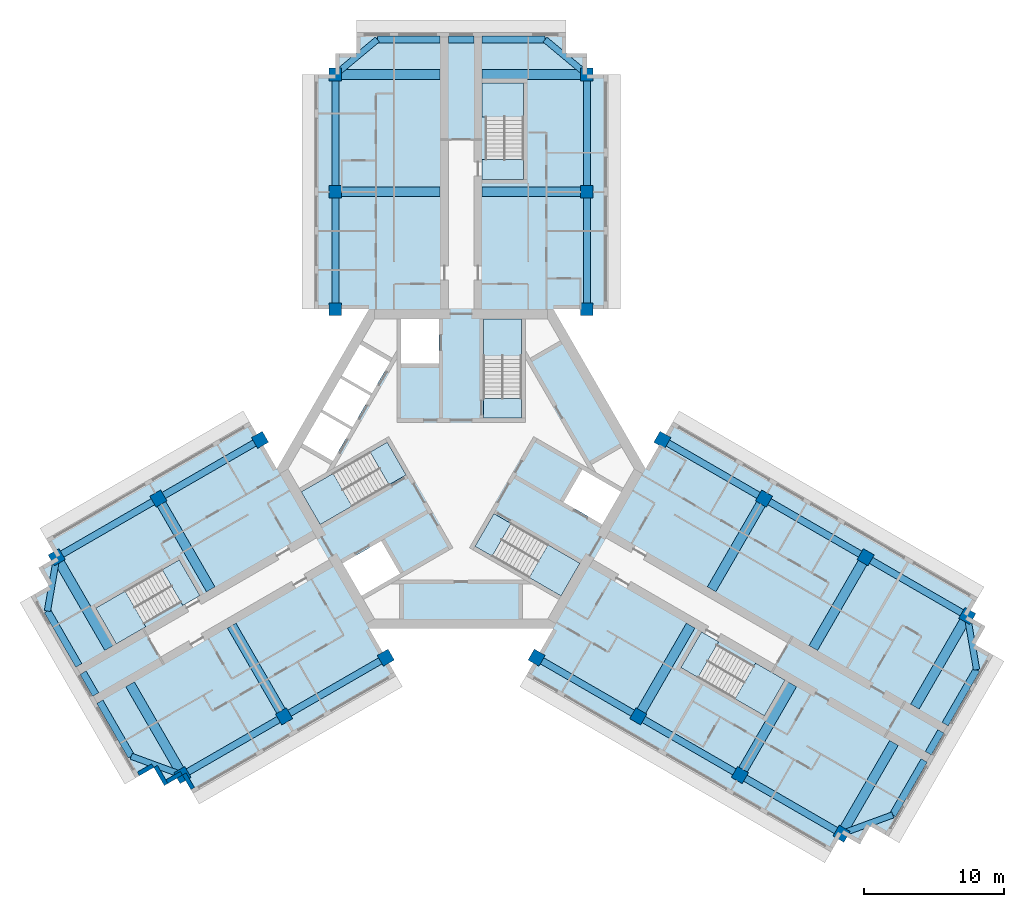
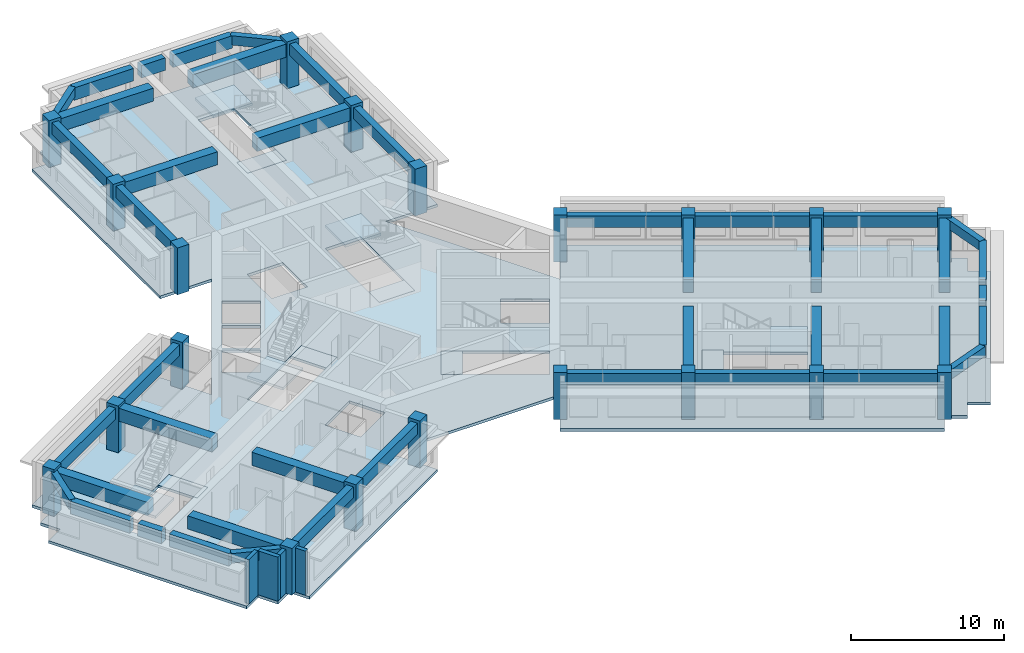
# One storey, part 1 of 10: 43 beams, 20 columns, 13 slabs, 4 walls, 6 elements without a shape of their own.
"""IFC4 building model written with IfcOpenShell, lengths in metres."""

from ifc_helpers import new_model, si_unit, direction, frame, frame_2d, origin, origin_2d, place, context, subcontext, project, spatial, polyline, rectangle, outline, extrude, material, layer, layer_set, material_profile, profile_set, type_object, element, aggregate, save


model = new_model("IFC4")

# Units and contexts
model_context = context("Model", 3, precision=1e-05, world=origin(), true_north=direction((0.0, 1.0)))
body_context = subcontext(model_context, "Body", "Model", "MODEL_VIEW")
ifc_project = project(units=[si_unit("LENGTHUNIT", "METRE"), si_unit("AREAUNIT", "SQUARE_METRE"), si_unit("VOLUMEUNIT", "CUBIC_METRE"), si_unit("PLANEANGLEUNIT", "RADIAN"), si_unit("MASSUNIT", "GRAM", prefix="KILO")], contexts=[model_context])

# Site, building, storey
site_placement = place(None, origin())
site = spatial("IfcSite", under=ifc_project, at=site_placement, CompositionType="ELEMENT")
building_placement = place(site_placement, origin())
building = spatial("IfcBuilding", under=site, at=building_placement, Name="Impinga Residences", CompositionType="ELEMENT")
storey_placement = place(building_placement, frame((0.0, 0.0, 237.25)))
storey = spatial("IfcBuildingStorey", under=building, at=storey_placement, Name="L59", CompositionType="ELEMENT", Elevation=237.25)

# Columns
ifc_material_1 = material(Name="Concrete C60/75", Category="concrete")
ifc_material_profile_1 = material_profile(ifc_material_1, rectangle(XDim=0.89990234375, YDim=0.89990234375, at=origin_2d()), Name="RC 900x900")
ifc_profile_set_1 = profile_set([ifc_material_profile_1], Name="Concrete C60/75")
column_type = type_object("IfcColumnType", Name="C4 900x900 column", PredefinedType="COLUMN", material=ifc_profile_set_1)
for number, where, z_axis, x_axis, name in (
    (1, (-9.0, 11.431640625, 0.0), (0.0, 0.0, 1.0), (1.0, 0.0, 0.0), "Column C4 N1/NA L59"),
    (2, (9.0, 11.431640625, 0.0), (0.0, 0.0, 1.0), (1.0, 0.0, 0.0), "Column C4 N1/NF L59"),
    (3, (-9.0, 19.83154296875, 0.0), (0.0, 0.0, 1.0), (1.0, 0.0, 0.0), "Column C4 N2/NA L59"),
    (4, (9.0, 19.83154296875, 0.0), (0.0, 0.0, 1.0), (1.0, 0.0, 0.0), "Column C4 N2/NF L59"),
    (5, (-9.0, 28.2314453125, 0.0), (0.0, 0.0, 1.0), (1.0, 0.0, 0.0), "Column C4 N3/NA L59"),
    (6, (9.0, 28.2314453125, 0.0), (0.0, 0.0, 1.0), (1.0, 0.0, 0.0), "Column C4 N3/NF L59"),
    (7, (-5.39990234375, -13.510009765625, 0.0), (0.0, 0.0, 1.0), (-0.5, 0.866025403784, 0.0), "Column C4 W1/WA L59"),
    (8, (-14.39990234375, 2.078369140625, 0.0), (0.0, 0.0, 1.0), (-0.5, 0.866025403784, 0.0), "Column C4 W1/WF L59"),
    (9, (-12.674560546875, -17.7099609375, 0.0), (0.0, 0.0, 1.0), (-0.5, 0.866025403784, 0.0), "Column C4 W2/WA L59"),
    (10, (-21.674560546875, -2.12158203125, 0.0), (0.0, 0.0, 1.0), (-0.5, 0.866025403784, 0.0), "Column C4 W2/WF L59"),
    (11, (-19.94921875, -21.909912109375, 0.0), (0.0, 0.0, 1.0), (-0.5, 0.866025403784, 0.0), "Column C4 W3/WA L59"),
    (12, (-28.94921875, -6.321533203125, 0.0), (0.0, 0.0, 1.0), (-0.5, 0.866025403784, 0.0), "Column C4 W3/WF L59"),
    (13, (14.39990234375, 2.078369140625, 0.0), (0.0, 0.0, 1.0), (-0.5, -0.866025403784, 0.0), "Column C4 E1/EA L59"),
    (14, (5.39990234375, -13.510009765625, 0.0), (0.0, 0.0, 1.0), (-0.5, -0.866025403784, 0.0), "Column C4 E1/EF L59"),
    (15, (21.674560546875, -2.12158203125, 0.0), (0.0, 0.0, 1.0), (-0.5, -0.866025403784, 0.0), "Column C4 E2/EA L59"),
    (16, (12.674560546875, -17.7099609375, 0.0), (0.0, 0.0, 1.0), (-0.5, -0.866025403784, 0.0), "Column C4 E2/EF L59"),
    (17, (28.94921875, -6.321533203125, 0.0), (0.0, 0.0, 1.0), (-0.5, -0.866025403784, 0.0), "Column C4 E3/EA L59"),
    (18, (19.94921875, -21.909912109375, 0.0), (0.0, 0.0, 1.0), (-0.5, -0.866025403784, 0.0), "Column C4 E3/EF L59"),
    (19, (36.223876953125, -10.521484375, 0.0), (0.0, 0.0, 1.0), (-0.5, -0.866025403784, 0.0), "Column C4 E4/EA L59"),
    (20, (27.223876953125, -26.110107421875, 0.0), (0.0, 0.0, 1.0), (-0.5, -0.866025403784, 0.0), "Column C4 E4/EF L59"),
):
    element("IfcColumn", number, at=place(storey_placement, frame(where, z_axis=z_axis, x_axis=x_axis)), inside=storey, type_object=column_type, Name=name, PredefinedType="COLUMN", context=body_context, shape_type="SweptSolid", body=[
        extrude(rectangle(XDim=0.89990234375, YDim=0.89990234375, at=origin_2d()), origin(), (0.0, 0.0, 1.0), 3.75),
    ])

# Beams
ifc_material_profile_2 = material_profile(ifc_material_1, rectangle(XDim=0.449951171875, YDim=0.75, at=origin_2d()), Name="RC 450x750")
ifc_profile_set_2 = profile_set([ifc_material_profile_2], Name="Concrete C60/75")
beam_type_1 = type_object("IfcBeamType", Name="CB1 450x750 wing end cantilever beam", PredefinedType="BEAM", material=ifc_profile_set_2)
for number, where, z_axis, x_axis, name in (
    (21, (-9.0, 28.2314453125, 3.155029296875), (0.768221279597, 0.640184399664, 0.0), (-0.640184399664, 0.768221279597, 0.0), "Beam CB1 NB N3-NX level L60"),
    (22, (9.0, 28.2314453125, 3.155029296875), (-0.768221279597, 0.640184399664, 0.0), (-0.640184399664, -0.768221279597, 0.0), "Beam CB1 NE N3-NX level L60"),
    (23, (-19.94921875, -21.909912109375, 3.155029296875), (-0.93854043338, 0.345169313396, 0.0), (-0.345169313396, -0.93854043338, 0.0), "Beam CB1 WB W3-WX level L60"),
):
    element("IfcBeam", number, at=place(storey_placement, frame(where, z_axis=z_axis, x_axis=x_axis)), inside=storey, type_object=beam_type_1, Name=name, PredefinedType="BEAM", context=body_context, shape_type="SweptSolid", body=[
        extrude(rectangle(XDim=0.449951171875, YDim=0.75, at=origin_2d()), origin(), (0.0, 0.0, 1.0), 3.905029296875),
    ])
for number, where, z_axis, x_axis, name in (
    (24, (-28.94921875, -6.321533203125, 3.155029296875), (-0.170296298948, -0.985392901621, 0.0), (0.985392901621, -0.170296298948, 0.0), "Beam CB1 WE W3-WX level L60"),
    (25, (36.223876953125, -10.521484375, 3.155029296875), (0.170296298948, -0.985392901621, 0.0), (0.985392901621, 0.170296298948, 0.0), "Beam CB1 EB E4-EX level L60"),
):
    element("IfcBeam", number, at=place(storey_placement, frame(where, z_axis=z_axis, x_axis=x_axis)), inside=storey, type_object=beam_type_1, Name=name, PredefinedType="BEAM", context=body_context, shape_type="SweptSolid", body=[
        extrude(rectangle(XDim=0.449951171875, YDim=0.75, at=origin_2d()), origin(), (0.0, 0.0, 1.0), 3.9052734375),
    ])
beam_1_placement = place(storey_placement, frame((27.223876953125, -26.110107421875, 3.155029296875), z_axis=(0.938520178725, 0.345224382289, 0.0), x_axis=(-0.345224382289, 0.938520178725, 0.0)))
element("IfcBeam", 26, at=beam_1_placement, inside=storey, type_object=beam_type_1, Name="Beam CB1 EE E4-EX level L60", PredefinedType="BEAM", context=body_context, shape_type="SweptSolid", body=[
    extrude(rectangle(XDim=0.449951171875, YDim=0.75, at=origin_2d()), origin(), (0.0, 0.0, 1.0), 3.905029296875),
])
ifc_material_profile_3 = material_profile(ifc_material_1, rectangle(XDim=0.699951171875, YDim=1.050048828125, at=origin_2d()), Name="RC 700x1050")
ifc_profile_set_3 = profile_set([ifc_material_profile_3], Name="Concrete C60/75")
beam_type_2 = type_object("IfcBeamType", Name="CG1 700x1050 cross girder on a wing bay line", PredefinedType="BEAM", material=ifc_profile_set_3)
for number, where, z_axis, x_axis, name in (
    (27, (-1.5, 19.83154296875, 3.0048828125), (-1.0, 0.0, 0.0), (0.0, -1.0, 0.0), "Beam CG1 N2 NC/NA level L60"),
    (28, (-1.5, 28.2314453125, 3.0048828125), (-1.0, 0.0, 0.0), (0.0, -1.0, 0.0), "Beam CG1 N3 NC/NA level L60"),
    (29, (1.5, 19.83154296875, 3.0048828125), (1.0, 0.0, 0.0), (0.0, 1.0, 0.0), "Beam CG1 N2 NC/NF level L60"),
    (30, (1.5, 28.2314453125, 3.0048828125), (1.0, 0.0, 0.0), (0.0, 1.0, 0.0), "Beam CG1 N3 NC/NF level L60"),
    (31, (-16.424560546875, -11.21484375, 3.0048828125), (0.500004234368, -0.866022959057, 0.0), (0.866022959057, 0.500004234368, 0.0), "Beam CG1 W2 WC/WA level L60"),
    (32, (-23.69921875, -15.414794921875, 3.0048828125), (0.500004234368, -0.866022959057, 0.0), (0.866022959057, 0.500004234368, 0.0), "Beam CG1 W3 WC/WA level L60"),
    (33, (-17.924560546875, -8.61669921875, 3.0048828125), (-0.500004234368, 0.866022959057, 0.0), (-0.866022959057, -0.500004234368, 0.0), "Beam CG1 W2 WC/WF level L60"),
    (34, (-25.19921875, -12.816650390625, 3.0048828125), (-0.500004234368, 0.866022959057, 0.0), (-0.866022959057, -0.500004234368, 0.0), "Beam CG1 W3 WC/WF level L60"),
    (35, (17.924560546875, -8.61669921875, 3.0048828125), (0.500004234368, 0.866022959057, 0.0), (-0.866022959057, 0.500004234368, 0.0), "Beam CG1 E2 EC/EA level L60"),
    (36, (25.19921875, -12.816650390625, 3.0048828125), (0.500004234368, 0.866022959057, 0.0), (-0.866022959057, 0.500004234368, 0.0), "Beam CG1 E3 EC/EA level L60"),
):
    element("IfcBeam", number, at=place(storey_placement, frame(where, z_axis=z_axis, x_axis=x_axis)), inside=storey, type_object=beam_type_2, Name=name, PredefinedType="BEAM", context=body_context, shape_type="SweptSolid", body=[
        extrude(rectangle(XDim=0.699951171875, YDim=1.050048828125, at=origin_2d()), origin(), (0.0, 0.0, 1.0), 7.5),
    ])
beam_2_placement = place(storey_placement, frame((32.473876953125, -17.016845703125, 3.0048828125), z_axis=(0.499990139034, 0.866031096941, 0.0), x_axis=(-0.866031096941, 0.499990139034, 0.0)))
element("IfcBeam", 37, at=beam_2_placement, inside=storey, type_object=beam_type_2, Name="Beam CG1 E4 EC/EA level L60", PredefinedType="BEAM", context=body_context, shape_type="SweptSolid", body=[
    extrude(rectangle(XDim=0.699951171875, YDim=1.050048828125, at=origin_2d()), origin(), (0.0, 0.0, 1.0), 7.500244140625),
])
for number, where, z_axis, x_axis, name in (
    (38, (16.424560546875, -11.21484375, 3.0048828125), (-0.500004234368, -0.866022959057, 0.0), (0.866022959057, -0.500004234368, 0.0), "Beam CG1 E2 EC/EF level L60"),
    (39, (23.69921875, -15.414794921875, 3.0048828125), (-0.500004234368, -0.866022959057, 0.0), (0.866022959057, -0.500004234368, 0.0), "Beam CG1 E3 EC/EF level L60"),
):
    element("IfcBeam", number, at=place(storey_placement, frame(where, z_axis=z_axis, x_axis=x_axis)), inside=storey, type_object=beam_type_2, Name=name, PredefinedType="BEAM", context=body_context, shape_type="SweptSolid", body=[
        extrude(rectangle(XDim=0.699951171875, YDim=1.050048828125, at=origin_2d()), origin(), (0.0, 0.0, 1.0), 7.5),
    ])
beam_3_placement = place(storey_placement, frame((30.973876953125, -19.61474609375, 3.0048828125), z_axis=(-0.499990139034, -0.866031096941, 0.0), x_axis=(0.866031096941, -0.499990139034, 0.0)))
element("IfcBeam", 40, at=beam_3_placement, inside=storey, type_object=beam_type_2, Name="Beam CG1 E4 EC/EF level L60", PredefinedType="BEAM", context=body_context, shape_type="SweptSolid", body=[
    extrude(rectangle(XDim=0.699951171875, YDim=1.050048828125, at=origin_2d()), origin(), (0.0, 0.0, 1.0), 7.500244140625),
])
ifc_material_profile_4 = material_profile(ifc_material_1, rectangle(XDim=0.5, YDim=1.0, at=origin_2d()), Name="RC 500x1000")
ifc_profile_set_4 = profile_set([ifc_material_profile_4], Name="Concrete C60/75")
beam_type_3 = type_object("IfcBeamType", Name="EB1 500x1000 wing end beam", PredefinedType="BEAM", material=ifc_profile_set_4)
beam_4_placement = place(storey_placement, frame((-6.0, 30.7314453125, 3.030029296875), z_axis=(1.0, 0.0, 0.0), x_axis=(0.0, 1.0, 0.0)))
element("IfcBeam", 41, at=beam_4_placement, inside=storey, type_object=beam_type_3, Name="Beam EB1 NX2 level L60", PredefinedType="BEAM", context=body_context, shape_type="SweptSolid", body=[
    extrude(rectangle(XDim=0.5, YDim=1.0, at=origin_2d()), origin(), (0.0, 0.0, 1.0), 4.5),
])
beam_5_placement = place(storey_placement, frame((-0.89990234375, 30.7314453125, 3.030029296875), z_axis=(1.0, 0.0, 0.0), x_axis=(0.0, 1.0, 0.0)))
element("IfcBeam", 42, at=beam_5_placement, inside=storey, type_object=beam_type_3, Name="Beam EB1 NX2 level L60", PredefinedType="BEAM", context=body_context, shape_type="SweptSolid", body=[
    extrude(rectangle(XDim=0.5, YDim=1.0, at=origin_2d()), origin(), (0.0, 0.0, 1.0), 1.7998046875),
])
for number, where, z_axis, x_axis, name in (
    (43, (1.5, 30.7314453125, 3.030029296875), (1.0, 0.0, 0.0), (0.0, 1.0, 0.0), "Beam EB1 NX2 level L60"),
    (44, (-23.6142578125, -20.56201171875, 3.030029296875), (-0.499990139034, 0.866031096941, 0.0), (-0.866031096941, -0.499990139034, 0.0), "Beam EB1 WX2 level L60"),
):
    element("IfcBeam", number, at=place(storey_placement, frame(where, z_axis=z_axis, x_axis=x_axis)), inside=storey, type_object=beam_type_3, Name=name, PredefinedType="BEAM", context=body_context, shape_type="SweptSolid", body=[
        extrude(rectangle(XDim=0.5, YDim=1.0, at=origin_2d()), origin(), (0.0, 0.0, 1.0), 4.5),
    ])
beam_6_placement = place(storey_placement, frame((-26.164306640625, -16.145263671875, 3.030029296875), z_axis=(-0.499961193289, 0.866047807691, 0.0), x_axis=(-0.866047807691, -0.499961193289, 0.0)))
element("IfcBeam", 45, at=beam_6_placement, inside=storey, type_object=beam_type_3, Name="Beam EB1 WX2 level L60", PredefinedType="BEAM", context=body_context, shape_type="SweptSolid", body=[
    extrude(rectangle(XDim=0.5, YDim=1.0, at=origin_2d()), origin(), (0.0, 0.0, 1.0), 1.800048828125),
])
beam_7_placement = place(storey_placement, frame((-27.3642578125, -14.066650390625, 3.030029296875), z_axis=(-0.500013631625, 0.866017533419, 0.0), x_axis=(-0.866017533419, -0.500013631625, 0.0)))
element("IfcBeam", 46, at=beam_7_placement, inside=storey, type_object=beam_type_3, Name="Beam EB1 WX2 level L60", PredefinedType="BEAM", context=body_context, shape_type="SweptSolid", body=[
    extrude(rectangle(XDim=0.5, YDim=1.0, at=origin_2d()), origin(), (0.0, 0.0, 1.0), 4.499755859375),
])
beam_8_placement = place(storey_placement, frame((36.888916015625, -14.36962890625, 3.030029296875), z_axis=(-0.499990139034, -0.866031096941, 0.0), x_axis=(0.866031096941, -0.499990139034, 0.0)))
element("IfcBeam", 47, at=beam_8_placement, inside=storey, type_object=beam_type_3, Name="Beam EB1 EX3 level L60", PredefinedType="BEAM", context=body_context, shape_type="SweptSolid", body=[
    extrude(rectangle(XDim=0.5, YDim=1.0, at=origin_2d()), origin(), (0.0, 0.0, 1.0), 4.5),
])
beam_9_placement = place(storey_placement, frame((34.3388671875, -18.786376953125, 3.030029296875), z_axis=(-0.499961193289, -0.866047807691, 0.0), x_axis=(0.866047807691, -0.499961193289, 0.0)))
element("IfcBeam", 48, at=beam_9_placement, inside=storey, type_object=beam_type_3, Name="Beam EB1 EX3 level L60", PredefinedType="BEAM", context=body_context, shape_type="SweptSolid", body=[
    extrude(rectangle(XDim=0.5, YDim=1.0, at=origin_2d()), origin(), (0.0, 0.0, 1.0), 1.800048828125),
])
beam_10_placement = place(storey_placement, frame((33.138916015625, -20.86474609375, 3.030029296875), z_axis=(-0.499990139034, -0.866031096941, 0.0), x_axis=(0.866031096941, -0.499990139034, 0.0)))
element("IfcBeam", 49, at=beam_10_placement, inside=storey, type_object=beam_type_3, Name="Beam EB1 EX3 level L60", PredefinedType="BEAM", context=body_context, shape_type="SweptSolid", body=[
    extrude(rectangle(XDim=0.5, YDim=1.0, at=origin_2d()), origin(), (0.0, 0.0, 1.0), 4.5),
])
ifc_material_profile_5 = material_profile(ifc_material_1, rectangle(XDim=0.5, YDim=0.89990234375, at=origin_2d()), Name="RC 500x900")
ifc_profile_set_5 = profile_set([ifc_material_profile_5], Name="Concrete C60/75")
beam_type_4 = type_object("IfcBeamType", Name="SB1 500x900 perimeter spandrel beam", PredefinedType="SPANDREL", material=ifc_profile_set_5)
for number, where, z_axis, x_axis, name in (
    (50, (-9.0, 11.431640625, 3.080078125), (0.0, 1.0, 0.0), (-1.0, 0.0, 0.0), "Beam SB1 NA N1-N2 level L60"),
    (51, (-9.0, 19.83154296875, 3.080078125), (0.0, 1.0, 0.0), (-1.0, 0.0, 0.0), "Beam SB1 NA N2-N3 level L60"),
    (52, (9.0, 11.431640625, 3.080078125), (0.0, 1.0, 0.0), (-1.0, 0.0, 0.0), "Beam SB1 NF N1-N2 level L60"),
    (53, (9.0, 19.83154296875, 3.080078125), (0.0, 1.0, 0.0), (-1.0, 0.0, 0.0), "Beam SB1 NF N2-N3 level L60"),
    (54, (-5.39990234375, -13.510009765625, 3.080078125), (-0.86602925447, -0.499993330357, 0.0), (0.499993330357, -0.86602925447, 0.0), "Beam SB1 WA W1-W2 level L60"),
    (55, (-12.674560546875, -17.7099609375, 3.080078125), (-0.86602925447, -0.499993330357, 0.0), (0.499993330357, -0.86602925447, 0.0), "Beam SB1 WA W2-W3 level L60"),
    (56, (-14.39990234375, 2.078369140625, 3.080078125), (-0.86602925447, -0.499993330357, 0.0), (0.499993330357, -0.86602925447, 0.0), "Beam SB1 WF W1-W2 level L60"),
    (57, (-21.674560546875, -2.12158203125, 3.080078125), (-0.86602925447, -0.499993330357, 0.0), (0.499993330357, -0.86602925447, 0.0), "Beam SB1 WF W2-W3 level L60"),
    (58, (14.39990234375, 2.078369140625, 3.080078125), (0.86602925447, -0.499993330357, 0.0), (0.499993330357, 0.86602925447, 0.0), "Beam SB1 EA E1-E2 level L60"),
    (59, (21.674560546875, -2.12158203125, 3.080078125), (0.86602925447, -0.499993330357, 0.0), (0.499993330357, 0.86602925447, 0.0), "Beam SB1 EA E2-E3 level L60"),
    (60, (28.94921875, -6.321533203125, 3.080078125), (0.86602925447, -0.499993330357, 0.0), (0.499993330357, 0.86602925447, 0.0), "Beam SB1 EA E3-E4 level L60"),
    (61, (5.39990234375, -13.510009765625, 3.080078125), (0.86602925447, -0.499993330357, 0.0), (0.499993330357, 0.86602925447, 0.0), "Beam SB1 EF E1-E2 level L60"),
    (62, (12.674560546875, -17.7099609375, 3.080078125), (0.86602925447, -0.499993330357, 0.0), (0.499993330357, 0.86602925447, 0.0), "Beam SB1 EF E2-E3 level L60"),
):
    element("IfcBeam", number, at=place(storey_placement, frame(where, z_axis=z_axis, x_axis=x_axis)), inside=storey, type_object=beam_type_4, Name=name, PredefinedType="SPANDREL", context=body_context, shape_type="SweptSolid", body=[
        extrude(rectangle(XDim=0.5, YDim=0.89990234375, at=origin_2d()), origin(), (0.0, 0.0, 1.0), 8.39990234375),
    ])
beam_11_placement = place(storey_placement, frame((19.94921875, -21.909912109375, 3.080078125), z_axis=(0.866016669275, -0.500015128309, 0.0), x_axis=(0.500015128309, 0.866016669275, 0.0)))
element("IfcBeam", 63, at=beam_11_placement, inside=storey, type_object=beam_type_4, Name="Beam SB1 EF E3-E4 level L60", PredefinedType="SPANDREL", context=body_context, shape_type="SweptSolid", body=[
    extrude(rectangle(XDim=0.5, YDim=0.89990234375, at=origin_2d()), origin(), (0.0, 0.0, 1.0), 8.400146484375),
])

# Slab
ifc_layer_1 = layer(ifc_material_1, 0.219970703125)
ifc_layer_set_1 = layer_set([ifc_layer_1], Name="Concrete C60/75")
slab_type_1 = type_object("IfcSlabType", Name="FS1 tower floor slab 220", PredefinedType="FLOOR", material=ifc_layer_set_1)
slab_1_placement = place(storey_placement, frame((0.0, 0.0, -0.219970703125)))
element("IfcSlab", 64, at=slab_1_placement, inside=storey, type_object=slab_type_1, Name="Floor slab FS1 L59", PredefinedType="FLOOR", context=body_context, shape_type="SweptSolid", body=[
    extrude(outline(polyline([(36.223876953125, -10.521484375), (37.52294921875, -11.271484375), (36.77294921875, -12.570556640625), (38.072021484375, -13.320556640625), (30.572021484375, -26.31103515625), (29.27294921875, -25.56103515625), (28.52294921875, -26.860107421875), (27.223876953125, -26.110107421875), (26.473876953125, -27.408935546875), (4.64990234375, -14.80908203125), (9.900146484375, -5.7158203125), (6.60009765625, -11.431640625), (-6.60009765625, -11.431640625), (-9.900146484375, -5.7158203125), (-4.64990234375, -14.80908203125), (-19.19921875, -23.208984375), (-19.94921875, -21.909912109375), (-21.248291015625, -22.659912109375), (-21.998291015625, -21.36083984375), (-23.29736328125, -22.11083984375), (-30.79736328125, -9.12060546875), (-29.498291015625, -8.37060546875), (-30.248291015625, -7.071533203125), (-28.94921875, -6.321533203125), (-29.69921875, -5.0224609375), (-15.14990234375, 3.37744140625), (-13.199951171875, 0.0), (-6.60009765625, 11.431640625), (-10.5, 11.431640625), (-10.5, 28.2314453125), (-9.0, 28.2314453125), (-9.0, 29.7314453125), (-7.5, 29.7314453125), (-7.5, 31.2314453125), (7.5, 31.2314453125), (7.5, 29.7314453125), (9.0, 29.7314453125), (9.0, 28.2314453125), (10.5, 28.2314453125), (10.5, 11.431640625), (6.60009765625, 11.431640625), (13.199951171875, 0.0), (15.14990234375, 3.37744140625), (36.973876953125, -9.222412109375), (36.223876953125, -10.521484375)]), holes=[polyline([(-18.7041015625, -9.066650390625), (-18.8291015625, -8.850341796875), (-18.8291015625, -8.850341796875), (-20.178955078125, -6.511962890625), (-21.391357421875, -7.2119140625), (-21.391357421875, -7.2119140625), (-26.154541015625, -9.9619140625), (-24.8046875, -12.30029296875), (-20.04150390625, -9.55029296875), (-19.91650390625, -9.766845703125), (-18.7041015625, -9.066650390625)]), polyline([(-5.72119140625, -5.150634765625), (-8.493896484375, -6.75146484375), (-7.143798828125, -9.089599609375), (-4.37109375, -7.489013671875), (-5.72119140625, -5.150634765625)]), polyline([(-5.293701171875, 1.908935546875), (-11.44384765625, -1.641845703125), (-10.09375, -3.980224609375), (-3.943603515625, -0.429443359375), (-5.293701171875, 1.908935546875)]), polyline([(-7.878662109375, 2.816650390625), (-10.043701171875, 4.066650390625), (-11.34375, 1.81494140625), (-9.1787109375, 0.56494140625), (-7.878662109375, 2.816650390625)]), polyline([(-6.478759765625, 5.24169921875), (-8.643798828125, 6.49169921875), (-9.94384765625, 4.239990234375), (-7.77880859375, 2.989990234375), (-6.478759765625, 5.24169921875)]), polyline([(-6.378662109375, 5.414794921875), (-5.07861328125, 7.66650390625), (-7.243896484375, 8.91650390625), (-8.543701171875, 6.664794921875), (-6.378662109375, 5.414794921875)]), polyline([(-4.300048828125, 7.530029296875), (-1.60009765625, 7.530029296875), (-1.60009765625, 10.7314453125), (-4.300048828125, 10.7314453125), (-4.300048828125, 7.530029296875)]), polyline([(15.72900390625, -14.219482421875), (21.70458984375, -17.669677734375), (23.0546875, -15.331298828125), (18.29150390625, -12.581298828125), (18.41650390625, -12.36474609375), (17.2041015625, -11.664794921875), (15.72900390625, -14.219482421875)]), polyline([(0.99365234375, -5.538818359375), (7.143798828125, -9.089599609375), (8.493896484375, -6.75146484375), (2.34375, -3.20068359375), (0.99365234375, -5.538818359375)]), polyline([(7.3212890625, -2.37939453125), (10.09375, -3.980224609375), (11.44384765625, -1.641845703125), (8.671142578125, -0.041015625), (7.3212890625, -2.37939453125)]), polyline([(4.300048828125, 3.6298828125), (4.300048828125, 10.7314453125), (1.60009765625, 10.7314453125), (1.60009765625, 3.6298828125), (4.300048828125, 3.6298828125)]), polyline([(1.75, 22.131591796875), (1.5, 22.131591796875), (1.5, 20.7314453125), (1.75, 20.7314453125), (4.449951171875, 20.7314453125), (4.449951171875, 22.131591796875), (4.449951171875, 27.631591796875), (1.75, 27.631591796875), (1.75, 22.131591796875)])]), origin(), (0.0, 0.0, 1.0), 0.219970703125),
])

# Stair, slabs
ifc_material_2 = material(Name="Concrete C40/50", Category="concrete")
stair_type_1 = type_object("IfcStairType", Name="STR core stair 3750 storey, 24 risers", PredefinedType="HALF_TURN_STAIR", material=ifc_material_2)
stair_1_placement = place(storey_placement, origin())
stair_1 = element("IfcStair", 65, at=stair_1_placement, inside=storey, type_object=stair_type_1, Name="Stair ST1 L59", PredefinedType="HALF_TURN_STAIR")
ifc_layer_2 = layer(ifc_material_2, 0.199951171875)
ifc_layer_set_2 = layer_set([ifc_layer_2], Name="Concrete C40/50")
slab_type_2 = type_object("IfcSlabType", Name="LS1 stair landing 200", PredefinedType="LANDING", material=ifc_layer_set_2)
slab_2_placement = place(storey_placement, frame((0.0, 0.0, -0.199951171875)))
slab_2 = element("IfcSlab", 66, at=slab_2_placement, type_object=slab_type_2, Name="ST1 landing 1", PredefinedType="LANDING", context=body_context, shape_type="SweptSolid", body=[
    extrude(outline(polyline([(1.60009765625, 3.6298828125), (4.300048828125, 3.6298828125), (4.300048828125, 5.0400390625), (1.60009765625, 5.0400390625), (1.60009765625, 3.6298828125)])), origin(), (0.0, 0.0, 1.0), 0.199951171875),
])
slab_3_placement = place(storey_placement, frame((0.0, 0.0, 1.675048828125)))
slab_3 = element("IfcSlab", 67, at=slab_3_placement, type_object=slab_type_2, Name="ST1 landing 2", PredefinedType="LANDING", context=body_context, shape_type="SweptSolid", body=[
    extrude(outline(polyline([(1.60009765625, 8.10009765625), (4.300048828125, 8.10009765625), (4.300048828125, 10.7314453125), (1.60009765625, 10.7314453125), (1.60009765625, 8.10009765625)])), origin(), (0.0, 0.0, 1.0), 0.199951171875),
])
aggregate(stair_1, [slab_2, slab_3])

stair_2_placement = place(storey_placement, origin())
stair_2 = element("IfcStair", 68, at=stair_2_placement, inside=storey, type_object=stair_type_1, Name="Stair ST2 L59", PredefinedType="HALF_TURN_STAIR")
slab_4_placement = place(storey_placement, frame((0.0, 0.0, -0.199951171875)))
slab_4 = element("IfcSlab", 69, at=slab_4_placement, type_object=slab_type_2, Name="ST2 landing 1", PredefinedType="LANDING", context=body_context, shape_type="SweptSolid", body=[
    extrude(outline(polyline([(-3.943603515625, -0.429443359375), (-5.293701171875, 1.908935546875), (-6.5146484375, 1.203857421875), (-5.164794921875, -1.13427734375), (-3.943603515625, -0.429443359375)])), origin(), (0.0, 0.0, 1.0), 0.199951171875),
])
slab_5_placement = place(storey_placement, frame((0.0, 0.0, 1.675048828125)))
slab_5 = element("IfcSlab", 70, at=slab_5_placement, type_object=slab_type_2, Name="ST2 landing 2", PredefinedType="LANDING", context=body_context, shape_type="SweptSolid", body=[
    extrude(outline(polyline([(-7.814697265625, -2.664306640625), (-9.164794921875, -0.326171875), (-11.44384765625, -1.641845703125), (-10.09375, -3.980224609375), (-7.814697265625, -2.664306640625)])), origin(), (0.0, 0.0, 1.0), 0.199951171875),
])
aggregate(stair_2, [slab_4, slab_5])

stair_3_placement = place(storey_placement, origin())
stair_3 = element("IfcStair", 71, at=stair_3_placement, inside=storey, type_object=stair_type_1, Name="Stair ST3 L59", PredefinedType="HALF_TURN_STAIR")
slab_6_placement = place(storey_placement, frame((0.0, 0.0, -0.199951171875)))
slab_6 = element("IfcSlab", 72, at=slab_6_placement, type_object=slab_type_2, Name="ST3 landing 1", PredefinedType="LANDING", context=body_context, shape_type="SweptSolid", body=[
    extrude(outline(polyline([(2.34375, -3.20068359375), (0.99365234375, -5.538818359375), (2.21484375, -6.243896484375), (3.564697265625, -3.90576171875), (2.34375, -3.20068359375)])), origin(), (0.0, 0.0, 1.0), 0.199951171875),
])
slab_7_placement = place(storey_placement, frame((0.0, 0.0, 1.675048828125)))
slab_7 = element("IfcSlab", 73, at=slab_7_placement, type_object=slab_type_2, Name="ST3 landing 2", PredefinedType="LANDING", context=body_context, shape_type="SweptSolid", body=[
    extrude(outline(polyline([(6.21484375, -5.435546875), (4.86474609375, -7.77392578125), (7.143798828125, -9.089599609375), (8.493896484375, -6.75146484375), (6.21484375, -5.435546875)])), origin(), (0.0, 0.0, 1.0), 0.199951171875),
])
aggregate(stair_3, [slab_6, slab_7])

stair_type_2 = type_object("IfcStairType", Name="STR wing stair 3750 storey, 24 risers", PredefinedType="HALF_TURN_STAIR", material=ifc_material_2)
stair_4_placement = place(storey_placement, origin())
stair_4 = element("IfcStair", 74, at=stair_4_placement, inside=storey, type_object=stair_type_2, Name="Stair WS1 L59", PredefinedType="HALF_TURN_STAIR")
slab_8_placement = place(storey_placement, frame((0.0, 0.0, -0.199951171875)))
slab_8 = element("IfcSlab", 75, at=slab_8_placement, type_object=slab_type_2, Name="WS1 landing 1", PredefinedType="LANDING", context=body_context, shape_type="SweptSolid", body=[
    extrude(outline(polyline([(1.5, 20.7314453125), (4.449951171875, 20.7314453125), (4.449951171875, 22.1416015625), (1.5, 22.1416015625), (1.5, 20.7314453125)])), origin(), (0.0, 0.0, 1.0), 0.199951171875),
])
slab_9_placement = place(storey_placement, frame((0.0, 0.0, 1.675048828125)))
slab_9 = element("IfcSlab", 76, at=slab_9_placement, type_object=slab_type_2, Name="WS1 landing 2", PredefinedType="LANDING", context=body_context, shape_type="SweptSolid", body=[
    extrude(outline(polyline([(1.5, 25.201416015625), (4.449951171875, 25.201416015625), (4.449951171875, 27.631591796875), (1.5, 27.631591796875), (1.5, 25.201416015625)])), origin(), (0.0, 0.0, 1.0), 0.199951171875),
])
aggregate(stair_4, [slab_8, slab_9])

stair_5_placement = place(storey_placement, origin())
stair_5 = element("IfcStair", 77, at=stair_5_placement, inside=storey, type_object=stair_type_2, Name="Stair WS2 L59", PredefinedType="HALF_TURN_STAIR")
slab_10_placement = place(storey_placement, frame((0.0, 0.0, -0.199951171875)))
slab_10 = element("IfcSlab", 78, at=slab_10_placement, type_object=slab_type_2, Name="WS2 landing 1", PredefinedType="LANDING", context=body_context, shape_type="SweptSolid", body=[
    extrude(outline(polyline([(-18.7041015625, -9.066650390625), (-20.178955078125, -6.511962890625), (-21.400146484375, -7.217041015625), (-19.925048828125, -9.771728515625), (-18.7041015625, -9.066650390625)])), origin(), (0.0, 0.0, 1.0), 0.199951171875),
])
slab_11_placement = place(storey_placement, frame((0.0, 0.0, 1.675048828125)))
slab_11 = element("IfcSlab", 79, at=slab_11_placement, type_object=slab_type_2, Name="WS2 landing 2", PredefinedType="LANDING", context=body_context, shape_type="SweptSolid", body=[
    extrude(outline(polyline([(-22.5751953125, -11.3017578125), (-24.050048828125, -8.7470703125), (-26.154541015625, -9.9619140625), (-24.6796875, -12.516845703125), (-22.5751953125, -11.3017578125)])), origin(), (0.0, 0.0, 1.0), 0.199951171875),
])
aggregate(stair_5, [slab_10, slab_11])

stair_6_placement = place(storey_placement, origin())
stair_6 = element("IfcStair", 80, at=stair_6_placement, inside=storey, type_object=stair_type_2, Name="Stair WS3 L59", PredefinedType="HALF_TURN_STAIR")
slab_12_placement = place(storey_placement, frame((0.0, 0.0, -0.199951171875)))
slab_12 = element("IfcSlab", 81, at=slab_12_placement, type_object=slab_type_2, Name="WS3 landing 1", PredefinedType="LANDING", context=body_context, shape_type="SweptSolid", body=[
    extrude(outline(polyline([(17.2041015625, -11.664794921875), (15.72900390625, -14.219482421875), (16.9501953125, -14.924560546875), (18.425048828125, -12.369873046875), (17.2041015625, -11.664794921875)])), origin(), (0.0, 0.0, 1.0), 0.199951171875),
])
slab_13_placement = place(storey_placement, frame((0.0, 0.0, 1.675048828125)))
slab_13 = element("IfcSlab", 82, at=slab_13_placement, type_object=slab_type_2, Name="WS3 landing 2", PredefinedType="LANDING", context=body_context, shape_type="SweptSolid", body=[
    extrude(outline(polyline([(21.0751953125, -13.89990234375), (19.60009765625, -16.45458984375), (21.70458984375, -17.669677734375), (23.1796875, -15.11474609375), (21.0751953125, -13.89990234375)])), origin(), (0.0, 0.0, 1.0), 0.199951171875),
])
aggregate(stair_6, [slab_12, slab_13])

# Walls
ifc_material_3 = material(Name="Terracotta rainscreen on blockwork", Category="masonry")
ifc_layer_3 = layer(ifc_material_3, 0.300048828125)
ifc_layer_set_3 = layer_set([ifc_layer_3], Name="EW1 external wall, terracotta rainscreen on blockwork 300")
wall_type = type_object("IfcWallType", Name="EW1 external wall, terracotta rainscreen on blockwork 300", PredefinedType="SOLIDWALL", material=ifc_layer_set_3)
wall_1_placement = place(storey_placement, frame((-19.21923828125, -22.874267578125, 0.0), z_axis=(0.0, 0.0, 1.0), x_axis=(-0.500033551112, 0.866006032174, 0.0)))
element("IfcWall", 83, at=wall_1_placement, inside=storey, type_object=wall_type, Name="External wall EW1 L59", PredefinedType="SOLIDWALL", context=body_context, shape_type="SweptSolid", body=[
    extrude(rectangle(XDim=1.2001953125, YDim=0.300048828125, at=frame_2d((0.60009765625, 0.0))), origin(), (0.0, 0.0, 1.0), 3.530029296875),
])
wall_2_placement = place(storey_placement, frame((-20.028564453125, -21.782470703125, 0.0), z_axis=(0.0, 0.0, 1.0), x_axis=(-0.865971243484, -0.500093796661, 0.0)))
element("IfcWall", 84, at=wall_2_placement, inside=storey, type_object=wall_type, Name="External wall EW1 L59", PredefinedType="SOLIDWALL", context=body_context, shape_type="SweptSolid", body=[
    extrude(rectangle(XDim=1.195068359375, YDim=0.300048828125, at=frame_2d((0.59765625, 0.0))), origin(), (0.0, 0.0, 1.0), 3.530029296875),
])
wall_3_placement = place(storey_placement, frame((-21.118408203125, -22.5849609375, 0.0), z_axis=(0.0, 0.0, 1.0), x_axis=(-0.499990139034, 0.866031096941, 0.0)))
element("IfcWall", 85, at=wall_3_placement, inside=storey, type_object=wall_type, Name="External wall EW1 L59", PredefinedType="SOLIDWALL", context=body_context, shape_type="SweptSolid", body=[
    extrude(rectangle(XDim=1.5, YDim=0.300048828125, at=frame_2d((0.75, 0.0))), origin(), (0.0, 0.0, 1.0), 3.530029296875),
])
wall_4_placement = place(storey_placement, frame((-22.07763671875, -21.233642578125, 0.0), z_axis=(0.0, 0.0, 1.0), x_axis=(-0.866059708757, -0.499940577336, 0.0)))
element("IfcWall", 86, at=wall_4_placement, inside=storey, type_object=wall_type, Name="External wall EW1 L59", PredefinedType="SOLIDWALL", context=body_context, shape_type="SweptSolid", body=[
    extrude(rectangle(XDim=1.195068359375, YDim=0.300048828125, at=frame_2d((0.59765625, 0.0))), origin(), (0.0, 0.0, 1.0), 3.530029296875),
])

save(model, "model.ifc")
